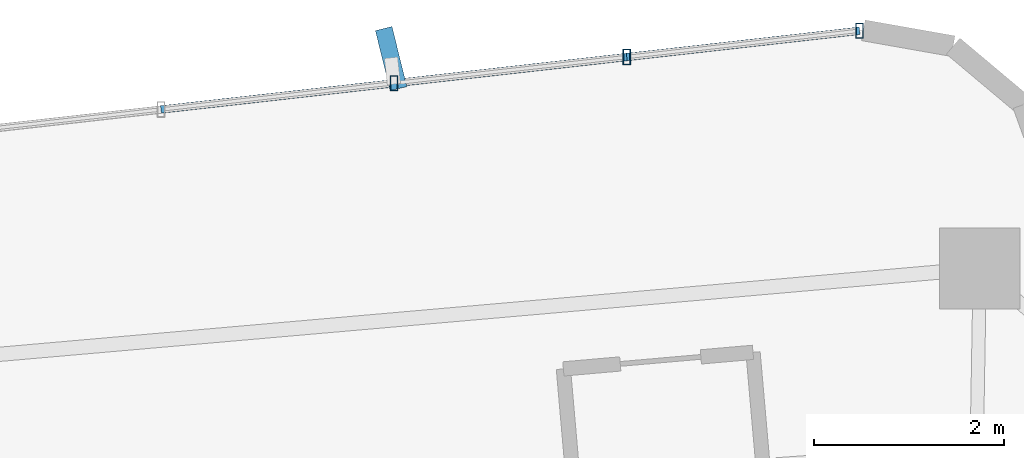
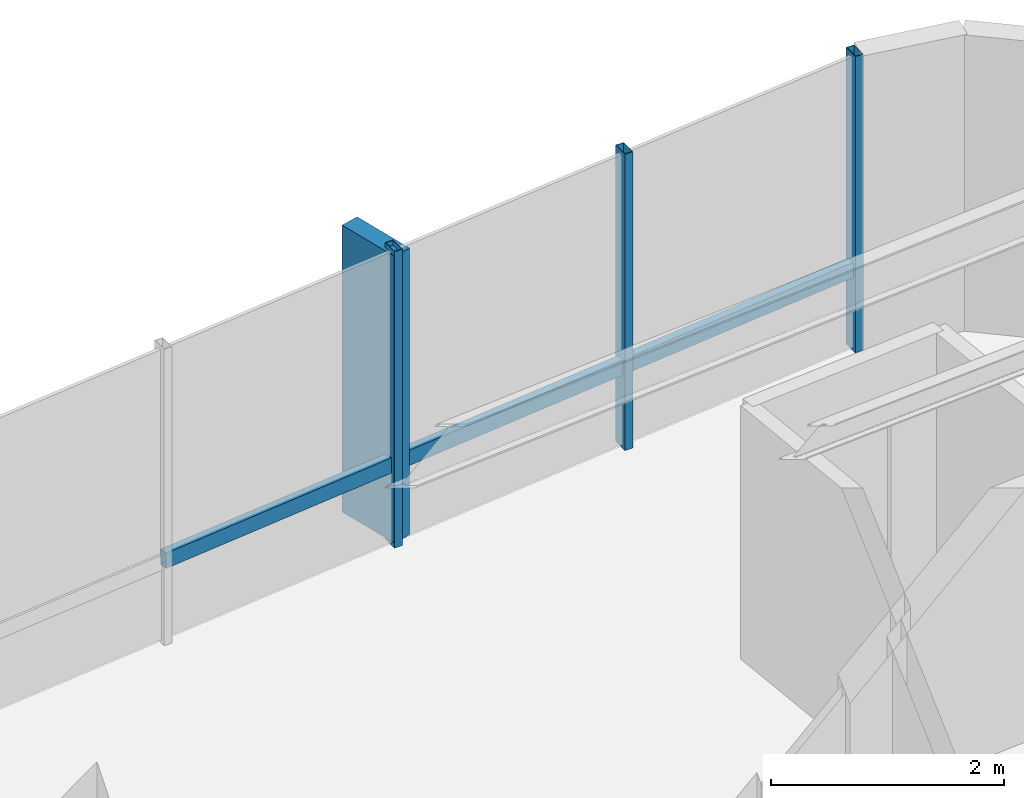
# One storey, part 18 of 24: 7 members, 1 element without a shape of its own.
"""IFC4 building model written with IfcOpenShell, lengths in metres."""

from ifc_helpers import new_model, si_unit, direction, frame, origin, origin_2d, place, context, subcontext, project, spatial, rectangle, hollow_rectangle, extrude, source, transform, mapped, material, material_profile, profile_set, type_object, element, aggregate, save


model = new_model("IFC4")

# Units and contexts
model_context = context("Model", 3, precision=1e-05, world=origin(), true_north=direction((0.0, 1.0)))
body_context = subcontext(model_context, "Body", "Model", "MODEL_VIEW")
ifc_project = project(units=[si_unit("LENGTHUNIT", "METRE"), si_unit("AREAUNIT", "SQUARE_METRE"), si_unit("VOLUMEUNIT", "CUBIC_METRE"), si_unit("PLANEANGLEUNIT", "RADIAN"), si_unit("MASSUNIT", "GRAM", prefix="KILO")], contexts=[model_context])

# Site, building, storey
site_placement = place(None, origin())
site = spatial("IfcSite", under=ifc_project, at=site_placement, CompositionType="ELEMENT")
building_placement = place(site_placement, origin())
building = spatial("IfcBuilding", under=site, at=building_placement, Name="Sahyath Konkavel Grand Hotel", CompositionType="ELEMENT")
storey_placement = place(building_placement, frame((0.0, 0.0, 178.550048828125)))
storey = spatial("IfcBuildingStorey", under=building, at=storey_placement, Name="L49", CompositionType="ELEMENT", Elevation=178.550048828125)

# Curtain wall, members
ifc_material_1 = material(Name="Anodised Bronze Aluminium & Low-E Glazing", Category="aluminium")
curtain_wall_type = type_object("IfcCurtainWallType", Name="CW-ZONE3", PredefinedType="NOTDEFINED", material=ifc_material_1)
curtain_wall_placement = place(storey_placement, origin())
curtain_wall = element("IfcCurtainWall", 1, at=curtain_wall_placement, inside=storey, type_object=curtain_wall_type, Name="L49 Unitised Curtain Wall F12", PredefinedType="NOTDEFINED")
ifc_material_2 = material(Name="Anodised Bronze Aluminium", Category="aluminium")
ifc_material_profile_1 = material_profile(ifc_material_2, hollow_rectangle(XDim=0.080078125, YDim=0.159912109375, WallThickness=0.006103515625, at=origin_2d()), Name="RHS 160x80x6")
ifc_profile_set_1 = profile_set([ifc_material_profile_1], Name="Anodised Bronze Aluminium")
member_type_1 = type_object("IfcMemberType", Name="CW-MUL-160", PredefinedType="MULLION", material=ifc_profile_set_1)
shared_shape_1 = source(origin(), body_context, "Body", "SweptSolid", [
    extrude(hollow_rectangle(XDim=0.080078125, YDim=0.159912109375, WallThickness=0.006103515625, at=origin_2d()), origin(), (0.0, 0.0, 1.0), 3.10986328125),
])
member_1_placement = place(storey_placement, frame((2.673828125, 20.610595703125, 0.0), z_axis=(0.0, 0.0, 1.0), x_axis=(1.0, 0.0, 0.0)))
member_1 = element("IfcMember", 2, at=member_1_placement, type_object=member_type_1, Name="L49 Curtain Wall Mullion F12-0", PredefinedType="MULLION", context=body_context, shape_type="MappedRepresentation", body=[
    mapped(shared_shape_1, transform((0.0, 0.0, 0.0), scale=1.0)),
])
member_2_placement = place(storey_placement, frame((0.227294921875, 20.334716796875, 0.0), z_axis=(0.0, 0.0, 1.0), x_axis=(1.0, 0.0, 0.0)))
member_2 = element("IfcMember", 3, at=member_2_placement, type_object=member_type_1, Name="L49 Curtain Wall Mullion F12-1", PredefinedType="MULLION", context=body_context, shape_type="MappedRepresentation", body=[
    mapped(shared_shape_1, transform((0.0, 0.0, 0.0), scale=1.0)),
])
member_3_placement = place(storey_placement, frame((-2.21923828125, 20.05908203125, 0.0), z_axis=(0.0, 0.0, 1.0), x_axis=(1.0, 0.0, 0.0)))
member_3 = element("IfcMember", 4, at=member_3_placement, type_object=member_type_1, Name="L49 Curtain Wall Mullion F12-2", PredefinedType="MULLION", context=body_context, shape_type="MappedRepresentation", body=[
    mapped(shared_shape_1, transform((0.0, 0.0, 0.0), scale=1.0)),
])
ifc_material_3 = material(Name="Warm Buff Sandstone Cladding on Concrete C50/60", Category="masonry")
ifc_material_profile_2 = material_profile(ifc_material_3, rectangle(XDim=0.179931640625, YDim=0.64990234375, at=origin_2d()), Name="FIN 180x650")
ifc_profile_set_2 = profile_set([ifc_material_profile_2], Name="Warm Buff Sandstone Cladding on Concrete C50/60")
member_type_2 = type_object("IfcMemberType", Name="FIN-SANDSTONE-650", PredefinedType="MULLION", material=ifc_profile_set_2)
shared_shape_2 = source(origin(), body_context, "Body", "SweptSolid", [
    extrude(rectangle(XDim=0.179931640625, YDim=0.64990234375, at=origin_2d()), origin(), (0.0, 0.0, 1.0), 3.010009765625),
])
member_4_placement = place(storey_placement, frame((-2.248291015625, 20.3173828125, 0.050048828125), z_axis=(0.0, 0.0, 1.0), x_axis=(0.970842131618, 0.239719743609, 0.0)))
member_4 = element("IfcMember", 5, at=member_4_placement, type_object=member_type_2, Name="L49 Sandstone Vertical Solar Fin FIN F12-2", PredefinedType="MULLION", context=body_context, shape_type="MappedRepresentation", body=[
    mapped(shared_shape_2, transform((0.0, 0.0, 0.0), scale=1.0)),
])
ifc_material_profile_3 = material_profile(ifc_material_2, hollow_rectangle(XDim=0.080078125, YDim=0.159912109375, WallThickness=0.006103515625, at=origin_2d()), Name="RHS 160x80x6")
ifc_profile_set_3 = profile_set([ifc_material_profile_3], Name="Anodised Bronze Aluminium")
member_type_3 = type_object("IfcMemberType", Name="CW-TRN-160", PredefinedType="USERDEFINED", material=ifc_profile_set_3)
shared_shape_3 = source(origin(), body_context, "Body", "SweptSolid", [
    extrude(hollow_rectangle(XDim=0.080078125, YDim=0.159912109375, WallThickness=0.006103515625, at=origin_2d()), origin(), (0.0, 0.0, 1.0), 2.462158203125),
])
member_5_placement = place(storey_placement, frame((2.673828125, 20.610595703125, 0.849853515625), z_axis=(-0.99370222711, -0.112053040279, 0.0), x_axis=(0.112053040279, -0.99370222711, 0.0)))
member_5 = element("IfcMember", 6, at=member_5_placement, type_object=member_type_3, Name="L49 Curtain Wall Transom F12-0-spandrel", ObjectType="TRANSOM", PredefinedType="USERDEFINED", context=body_context, shape_type="MappedRepresentation", body=[
    mapped(shared_shape_3, transform((0.0, 0.0, 0.0), scale=1.0)),
])
member_6_placement = place(storey_placement, frame((-2.21923828125, 20.05908203125, 0.849853515625), z_axis=(-0.99370222711, -0.112053040279, 0.0), x_axis=(0.112053040279, -0.99370222711, 0.0)))
member_6 = element("IfcMember", 7, at=member_6_placement, type_object=member_type_3, Name="L49 Curtain Wall Transom F12-2-spandrel", ObjectType="TRANSOM", PredefinedType="USERDEFINED", context=body_context, shape_type="MappedRepresentation", body=[
    mapped(shared_shape_3, transform((0.0, 0.0, 0.0), scale=1.0)),
])
shared_shape_4 = source(origin(), body_context, "Body", "SweptSolid", [
    extrude(hollow_rectangle(XDim=0.080078125, YDim=0.159912109375, WallThickness=0.006103515625, at=origin_2d()), origin(), (0.0, 0.0, 1.0), 2.4619140625),
])
member_7_placement = place(storey_placement, frame((0.227294921875, 20.334716796875, 0.849853515625), z_axis=(-0.993713263833, -0.111955121731, 0.0), x_axis=(0.111955121731, -0.993713263833, 0.0)))
member_7 = element("IfcMember", 8, at=member_7_placement, type_object=member_type_3, Name="L49 Curtain Wall Transom F12-1-spandrel", ObjectType="TRANSOM", PredefinedType="USERDEFINED", context=body_context, shape_type="MappedRepresentation", body=[
    mapped(shared_shape_4, transform((0.0, 0.0, 0.0), scale=1.0)),
])
aggregate(curtain_wall, [member_1, member_2, member_3, member_4, member_5, member_7, member_6])

save(model, "model.ifc")
